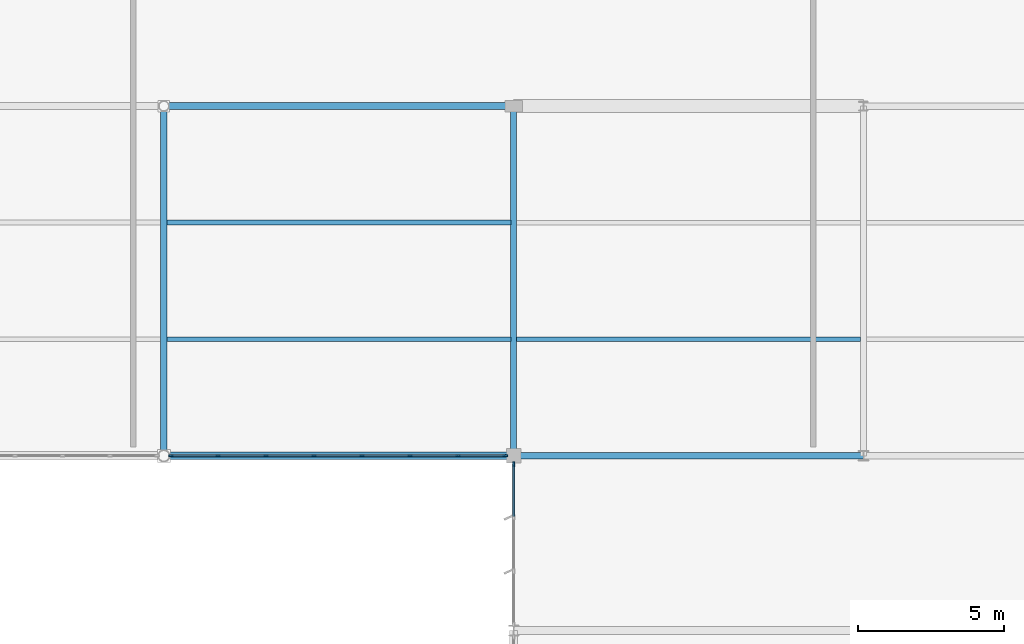
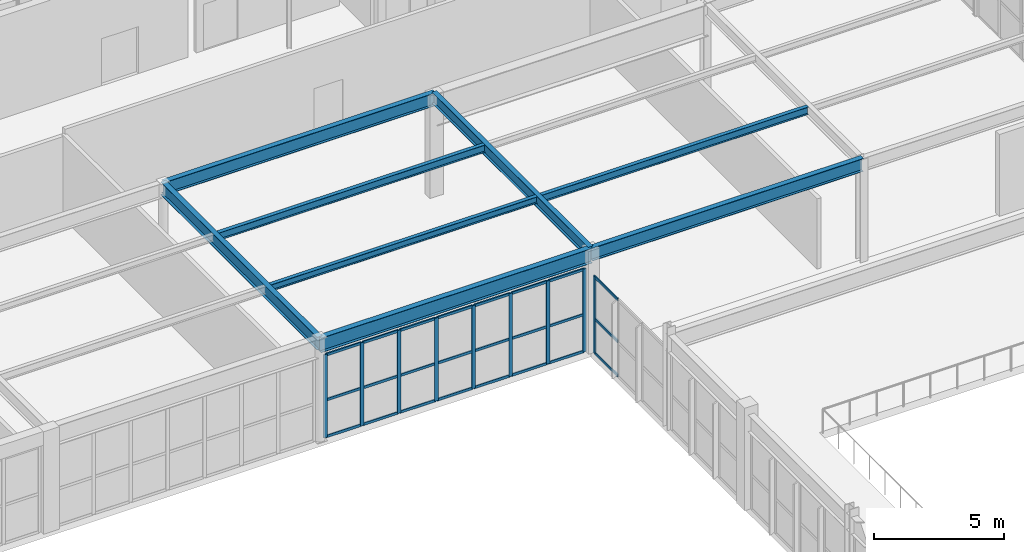
# One storey, part 78 of 186: 33 members, 8 beams, 2 elements without a shape of their own.
"""IFC4 building model written with IfcOpenShell, lengths in metres."""

from ifc_helpers import new_model, si_unit, direction, frame, origin, origin_2d, place, context, subcontext, project, spatial, rectangle, i_section, extrude, material, layer, layer_set, material_profile, profile_set, type_object, element, aggregate, save


model = new_model("IFC4")

# Units and contexts
model_context = context("Model", 3, precision=1e-05, world=origin(), true_north=direction((0.0, 1.0)))
body_context = subcontext(model_context, "Body", "Model", "MODEL_VIEW")
ifc_project = project(units=[si_unit("LENGTHUNIT", "METRE"), si_unit("AREAUNIT", "SQUARE_METRE"), si_unit("VOLUMEUNIT", "CUBIC_METRE"), si_unit("PLANEANGLEUNIT", "RADIAN"), si_unit("MASSUNIT", "GRAM", prefix="KILO")], contexts=[model_context])

# Site, building, storey
site_placement = place(None, origin())
site = spatial("IfcSite", under=ifc_project, at=site_placement, CompositionType="ELEMENT")
building_placement = place(site_placement, origin())
building = spatial("IfcBuilding", under=site, at=building_placement, Name="Tarnwether General Hospital", CompositionType="ELEMENT")
storey_placement = place(building_placement, frame((0.0, 0.0, 9.60009765625)))
storey = spatial("IfcBuildingStorey", under=building, at=storey_placement, Name="L02", CompositionType="ELEMENT", Elevation=9.60009765625)

# Beams
ifc_material_1 = material(Name="Steel Grade 350 (350 MPa)", Category="steel")
ifc_material_profile_1 = material_profile(ifc_material_1, i_section(OverallWidth=0.25, OverallDepth=0.69189453125, WebThickness=0.009033203125, FlangeThickness=0.01611328125, at=origin_2d()), Name="700WB115")
ifc_profile_set_1 = profile_set([ifc_material_profile_1], Name="Steel Grade 350 (350 MPa)")
beam_type_1 = type_object("IfcBeamType", Name="BM-G02", PredefinedType="BEAM", material=ifc_profile_set_1)
beam_1_placement = place(storey_placement, frame((96.0, 81.60009765625, 4.453857421875), z_axis=(1.0, 0.0, 0.0), x_axis=(0.0, 1.0, 0.0)))
element("IfcBeam", 1, at=beam_1_placement, inside=storey, type_object=beam_type_1, Name="Primary Girder BMG-L02-9600_8160-10800_8160-1527", PredefinedType="BEAM", context=body_context, shape_type="SweptSolid", body=[
    extrude(i_section(OverallWidth=0.25, OverallDepth=0.69189453125, WebThickness=0.009033203125, FlangeThickness=0.01611328125, at=origin_2d()), origin(), (0.0, 0.0, 1.0), 12.0),
])
ifc_material_2 = material(Name="Steel Grade 350 (350 MPa)", Category="steel")
ifc_material_profile_2 = material_profile(ifc_material_2, i_section(OverallWidth=0.22900390625, OverallDepth=0.612060546875, WebThickness=0.011962890625, FlangeThickness=0.01953125, at=origin_2d()), Name="610UB125")
ifc_profile_set_2 = profile_set([ifc_material_profile_2], Name="Steel Grade 350 (350 MPa)")
beam_type_2 = type_object("IfcBeamType", Name="BM-G03", PredefinedType="BEAM", material=ifc_profile_set_2)
for number, where, z_axis, x_axis, name in (
    (2, (96.0, 93.60009765625, 4.493896484375), (1.0, 0.0, 0.0), (0.0, 1.0, 0.0), "Primary Girder BMG-L02-9600_9360-10800_9360-1529"),
    (3, (108.0, 81.60009765625, 4.493896484375), (1.0, 0.0, 0.0), (0.0, 1.0, 0.0), "Primary Girder BMG-L02-10800_8160-12000_8160-1537"),
):
    element("IfcBeam", number, at=place(storey_placement, frame(where, z_axis=z_axis, x_axis=x_axis)), inside=storey, type_object=beam_type_2, Name=name, PredefinedType="BEAM", context=body_context, shape_type="SweptSolid", body=[
        extrude(i_section(OverallWidth=0.22900390625, OverallDepth=0.612060546875, WebThickness=0.011962890625, FlangeThickness=0.01953125, at=origin_2d()), origin(), (0.0, 0.0, 1.0), 12.0),
    ])
ifc_material_3 = material(Name="Steel Grade 350 (350 MPa)", Category="steel")
ifc_material_profile_3 = material_profile(ifc_material_3, i_section(OverallWidth=0.22802734375, OverallDepth=0.60205078125, WebThickness=0.010498046875, FlangeThickness=0.014892578125, at=origin_2d()), Name="610UB101")
ifc_profile_set_3 = profile_set([ifc_material_profile_3], Name="Steel Grade 350 (350 MPa)")
beam_type_3 = type_object("IfcBeamType", Name="BM-G05", PredefinedType="BEAM", material=ifc_profile_set_3)
beam_2_placement = place(storey_placement, frame((96.0, 81.60009765625, 4.4990234375), z_axis=(0.0, 1.0, 0.0), x_axis=(-1.0, 0.0, 0.0)))
element("IfcBeam", 4, at=beam_2_placement, inside=storey, type_object=beam_type_3, Name="Primary Girder BMG-L02-9600_8160-9600_9360-1528", PredefinedType="BEAM", context=body_context, shape_type="SweptSolid", body=[
    extrude(i_section(OverallWidth=0.22802734375, OverallDepth=0.60205078125, WebThickness=0.010498046875, FlangeThickness=0.014892578125, at=origin_2d()), origin(), (0.0, 0.0, 1.0), 12.0),
])
ifc_material_4 = material(Name="Steel Grade 350 (350 MPa)", Category="steel")
ifc_material_profile_4 = material_profile(ifc_material_4, i_section(OverallWidth=0.208984375, OverallDepth=0.532958984375, WebThickness=0.01025390625, FlangeThickness=0.015625, at=origin_2d()), Name="530UB92.4")
ifc_profile_set_4 = profile_set([ifc_material_profile_4], Name="Steel Grade 350 (350 MPa)")
beam_type_4 = type_object("IfcBeamType", Name="BM-G06", PredefinedType="BEAM", material=ifc_profile_set_4)
beam_3_placement = place(storey_placement, frame((108.0, 81.60009765625, 4.533447265625), z_axis=(0.0, 1.0, 0.0), x_axis=(-1.0, 0.0, 0.0)))
element("IfcBeam", 5, at=beam_3_placement, inside=storey, type_object=beam_type_4, Name="Primary Girder BMG-L02-10800_8160-10800_9360-1538", PredefinedType="BEAM", context=body_context, shape_type="SweptSolid", body=[
    extrude(i_section(OverallWidth=0.208984375, OverallDepth=0.532958984375, WebThickness=0.01025390625, FlangeThickness=0.015625, at=origin_2d()), origin(), (0.0, 0.0, 1.0), 12.0),
])
ifc_material_5 = material(Name="Steel Grade 350 (350 MPa)", Category="steel")
ifc_material_profile_5 = material_profile(ifc_material_5, i_section(OverallWidth=0.166015625, OverallDepth=0.306884765625, WebThickness=0.006591796875, FlangeThickness=0.01171875, at=origin_2d()), Name="310UB46.2")
ifc_profile_set_5 = profile_set([ifc_material_profile_5], Name="Steel Grade 350 (350 MPa)")
beam_type_5 = type_object("IfcBeamType", Name="BM-J05", PredefinedType="JOIST", material=ifc_profile_set_5)
beam_4_placement = place(storey_placement, frame((96.10791015625, 85.60009765625, 4.646484375), z_axis=(1.0, 0.0, 0.0), x_axis=(0.0, 1.0, 0.0)))
element("IfcBeam", 6, at=beam_4_placement, inside=storey, type_object=beam_type_5, Name="Composite Floor Joist BMG-L02-9611_8560-10790_8560-1696", PredefinedType="JOIST", context=body_context, shape_type="SweptSolid", body=[
    extrude(i_section(OverallWidth=0.166015625, OverallDepth=0.306884765625, WebThickness=0.006591796875, FlangeThickness=0.01171875, at=origin_2d()), origin(), (0.0, 0.0, 1.0), 11.79296875),
])
ifc_material_6 = material(Name="Steel Grade 350 (350 MPa)", Category="steel")
ifc_material_profile_6 = material_profile(ifc_material_6, i_section(OverallWidth=0.1708984375, OverallDepth=0.35205078125, WebThickness=0.0068359375, FlangeThickness=0.009765625, at=origin_2d()), Name="360UB44.7")
ifc_profile_set_6 = profile_set([ifc_material_profile_6], Name="Steel Grade 350 (350 MPa)")
beam_type_6 = type_object("IfcBeamType", Name="BM-J06", PredefinedType="JOIST", material=ifc_profile_set_6)
beam_5_placement = place(storey_placement, frame((96.10791015625, 89.60009765625, 4.6240234375), z_axis=(1.0, 0.0, 0.0), x_axis=(0.0, 1.0, 0.0)))
element("IfcBeam", 7, at=beam_5_placement, inside=storey, type_object=beam_type_6, Name="Composite Floor Joist BMG-L02-9611_8960-10790_8960-1697", PredefinedType="JOIST", context=body_context, shape_type="SweptSolid", body=[
    extrude(i_section(OverallWidth=0.1708984375, OverallDepth=0.35205078125, WebThickness=0.0068359375, FlangeThickness=0.009765625, at=origin_2d()), origin(), (0.0, 0.0, 1.0), 11.79296875),
])
beam_6_placement = place(storey_placement, frame((108.09912109375, 85.60009765625, 4.6240234375), z_axis=(1.0, 0.0, 0.0), x_axis=(0.0, 1.0, 0.0)))
element("IfcBeam", 8, at=beam_6_placement, inside=storey, type_object=beam_type_6, Name="Composite Floor Joist BMG-L02-10810_8560-11990_8560-1700", PredefinedType="JOIST", context=body_context, shape_type="SweptSolid", body=[
    extrude(i_section(OverallWidth=0.1708984375, OverallDepth=0.35205078125, WebThickness=0.0068359375, FlangeThickness=0.009765625, at=origin_2d()), origin(), (0.0, 0.0, 1.0), 11.8017578125),
])

# Curtain wall, member
ifc_material_7 = material(Name="Anodised aluminium", Category="aluminium")
ifc_layer_1 = layer(ifc_material_7, 0.179931640625)
ifc_layer_set_1 = layer_set([ifc_layer_1], Name="Anodised aluminium")
curtain_wall_type_1 = type_object("IfcCurtainWallType", Name="CW-07", PredefinedType="NOTDEFINED", material=ifc_layer_set_1)
curtain_wall_1_placement = place(storey_placement, origin())
curtain_wall_1 = element("IfcCurtainWall", 9, at=curtain_wall_1_placement, inside=storey, type_object=curtain_wall_type_1, Name="Curtain Wall CWG-L02-1080_758-0425", PredefinedType="NOTDEFINED")
ifc_material_8 = material(Name="Anodised aluminium", Category="aluminium")
ifc_material_profile_7 = material_profile(ifc_material_8, rectangle(XDim=0.06005859375, YDim=0.159912109375, at=origin_2d()), Name="ALU-MUL-60x160")
ifc_profile_set_7 = profile_set([ifc_material_profile_7], Name="Anodised aluminium")
member_type_1 = type_object("IfcMemberType", Name="CW-ML1", PredefinedType="MULLION", material=ifc_profile_set_7)
member_1_placement = place(storey_placement, frame((108.0, 81.31201171875, 0.0), z_axis=(0.0, 0.0, 1.0), x_axis=(-1.0, 0.0, 0.0)))
member_1 = element("IfcMember", 10, at=member_1_placement, type_object=member_type_1, Name="CW-07 mullion 4", PredefinedType="MULLION", context=body_context, shape_type="SweptSolid", body=[
    extrude(rectangle(XDim=0.06005859375, YDim=0.159912109375, at=origin_2d()), origin(), (0.0, 0.0, 1.0), 3.614990234375),
])

# Curtain wall, members
ifc_material_9 = material(Name="Anodised aluminium", Category="aluminium")
ifc_layer_2 = layer(ifc_material_9, 0.159912109375)
ifc_layer_set_2 = layer_set([ifc_layer_2], Name="Anodised aluminium")
curtain_wall_type_2 = type_object("IfcCurtainWallType", Name="CW-23", PredefinedType="NOTDEFINED", material=ifc_layer_set_2)
curtain_wall_2_placement = place(storey_placement, origin())
curtain_wall_2 = element("IfcCurtainWall", 11, at=curtain_wall_2_placement, inside=storey, type_object=curtain_wall_type_2, Name="Curtain Wall CWG-L02-962_816-0429", PredefinedType="NOTDEFINED")
member_2_placement = place(storey_placement, frame((96.240966796875, 81.60009765625, 0.0), z_axis=(0.0, 0.0, 1.0), x_axis=(0.0, 1.0, 0.0)))
member_2 = element("IfcMember", 12, at=member_2_placement, type_object=member_type_1, Name="CW-23 mullion 1", PredefinedType="MULLION", context=body_context, shape_type="SweptSolid", body=[
    extrude(rectangle(XDim=0.06005859375, YDim=0.159912109375, at=origin_2d()), origin(), (0.0, 0.0, 1.0), 3.885009765625),
])
member_3_placement = place(storey_placement, frame((97.8583984375, 81.60009765625, 0.0), z_axis=(0.0, 0.0, 1.0), x_axis=(0.0, 1.0, 0.0)))
member_3 = element("IfcMember", 13, at=member_3_placement, type_object=member_type_1, Name="CW-23 mullion 2", PredefinedType="MULLION", context=body_context, shape_type="SweptSolid", body=[
    extrude(rectangle(XDim=0.06005859375, YDim=0.159912109375, at=origin_2d()), origin(), (0.0, 0.0, 1.0), 3.885009765625),
])
member_4_placement = place(storey_placement, frame((99.505615234375, 81.60009765625, 0.0), z_axis=(0.0, 0.0, 1.0), x_axis=(0.0, 1.0, 0.0)))
member_4 = element("IfcMember", 14, at=member_4_placement, type_object=member_type_1, Name="CW-23 mullion 3", PredefinedType="MULLION", context=body_context, shape_type="SweptSolid", body=[
    extrude(rectangle(XDim=0.06005859375, YDim=0.159912109375, at=origin_2d()), origin(), (0.0, 0.0, 1.0), 3.885009765625),
])
member_5_placement = place(storey_placement, frame((101.15283203125, 81.60009765625, 0.0), z_axis=(0.0, 0.0, 1.0), x_axis=(0.0, 1.0, 0.0)))
member_5 = element("IfcMember", 15, at=member_5_placement, type_object=member_type_1, Name="CW-23 mullion 4", PredefinedType="MULLION", context=body_context, shape_type="SweptSolid", body=[
    extrude(rectangle(XDim=0.06005859375, YDim=0.159912109375, at=origin_2d()), origin(), (0.0, 0.0, 1.0), 3.885009765625),
])
member_6_placement = place(storey_placement, frame((102.800048828125, 81.60009765625, 0.0), z_axis=(0.0, 0.0, 1.0), x_axis=(0.0, 1.0, 0.0)))
member_6 = element("IfcMember", 16, at=member_6_placement, type_object=member_type_1, Name="CW-23 mullion 5", PredefinedType="MULLION", context=body_context, shape_type="SweptSolid", body=[
    extrude(rectangle(XDim=0.06005859375, YDim=0.159912109375, at=origin_2d()), origin(), (0.0, 0.0, 1.0), 3.885009765625),
])
member_7_placement = place(storey_placement, frame((104.447509765625, 81.60009765625, 0.0), z_axis=(0.0, 0.0, 1.0), x_axis=(0.0, 1.0, 0.0)))
member_7 = element("IfcMember", 17, at=member_7_placement, type_object=member_type_1, Name="CW-23 mullion 6", PredefinedType="MULLION", context=body_context, shape_type="SweptSolid", body=[
    extrude(rectangle(XDim=0.06005859375, YDim=0.159912109375, at=origin_2d()), origin(), (0.0, 0.0, 1.0), 3.885009765625),
])
member_8_placement = place(storey_placement, frame((106.0947265625, 81.60009765625, 0.0), z_axis=(0.0, 0.0, 1.0), x_axis=(0.0, 1.0, 0.0)))
member_8 = element("IfcMember", 18, at=member_8_placement, type_object=member_type_1, Name="CW-23 mullion 7", PredefinedType="MULLION", context=body_context, shape_type="SweptSolid", body=[
    extrude(rectangle(XDim=0.06005859375, YDim=0.159912109375, at=origin_2d()), origin(), (0.0, 0.0, 1.0), 3.885009765625),
])
member_9_placement = place(storey_placement, frame((107.7119140625, 81.60009765625, 0.0), z_axis=(0.0, 0.0, 1.0), x_axis=(0.0, 1.0, 0.0)))
member_9 = element("IfcMember", 19, at=member_9_placement, type_object=member_type_1, Name="CW-23 mullion 8", PredefinedType="MULLION", context=body_context, shape_type="SweptSolid", body=[
    extrude(rectangle(XDim=0.06005859375, YDim=0.159912109375, at=origin_2d()), origin(), (0.0, 0.0, 1.0), 3.885009765625),
])

# Member
ifc_material_10 = material(Name="Anodised aluminium", Category="aluminium")
ifc_material_profile_8 = material_profile(ifc_material_10, rectangle(XDim=0.06005859375, YDim=0.1201171875, at=origin_2d()), Name="ALU-TRN-60x120")
ifc_profile_set_8 = profile_set([ifc_material_profile_8], Name="Anodised aluminium")
member_type_2 = type_object("IfcMemberType", Name="CW-TR1", PredefinedType="USERDEFINED", material=ifc_profile_set_8)
member_10_placement = place(storey_placement, frame((108.0, 79.520751953125, 0.02978515625), z_axis=(0.0, 1.0, 0.0), x_axis=(-1.0, 0.0, 0.0)))
member_10 = element("IfcMember", 20, at=member_10_placement, type_object=member_type_2, Name="CW-07 transom 3.1", ObjectType="TRANSOM", PredefinedType="USERDEFINED", context=body_context, shape_type="SweptSolid", body=[
    extrude(rectangle(XDim=0.06005859375, YDim=0.1201171875, at=origin_2d()), origin(), (0.0, 0.0, 1.0), 1.76123046875),
])

member_11_placement = place(storey_placement, frame((108.0, 79.520751953125, 1.626708984375), z_axis=(0.0, 1.0, 0.0), x_axis=(-1.0, 0.0, 0.0)))
member_11 = element("IfcMember", 21, at=member_11_placement, type_object=member_type_2, Name="CW-07 transom 3.2", ObjectType="TRANSOM", PredefinedType="USERDEFINED", context=body_context, shape_type="SweptSolid", body=[
    extrude(rectangle(XDim=0.06005859375, YDim=0.1201171875, at=origin_2d()), origin(), (0.0, 0.0, 1.0), 1.76123046875),
])

member_12_placement = place(storey_placement, frame((108.0, 79.520751953125, 3.5849609375), z_axis=(0.0, 1.0, 0.0), x_axis=(-1.0, 0.0, 0.0)))
member_12 = element("IfcMember", 22, at=member_12_placement, type_object=member_type_2, Name="CW-07 transom 3.3", ObjectType="TRANSOM", PredefinedType="USERDEFINED", context=body_context, shape_type="SweptSolid", body=[
    extrude(rectangle(XDim=0.06005859375, YDim=0.1201171875, at=origin_2d()), origin(), (0.0, 0.0, 1.0), 1.76123046875),
])

aggregate(curtain_wall_1, [member_1, member_10, member_11, member_12])

member_13_placement = place(storey_placement, frame((96.27099609375, 81.60009765625, 0.02978515625), z_axis=(1.0, 0.0, 0.0), x_axis=(0.0, 1.0, 0.0)))
member_13 = element("IfcMember", 23, at=member_13_placement, type_object=member_type_2, Name="CW-23 transom 1.1", ObjectType="TRANSOM", PredefinedType="USERDEFINED", context=body_context, shape_type="SweptSolid", body=[
    extrude(rectangle(XDim=0.06005859375, YDim=0.1201171875, at=origin_2d()), origin(), (0.0, 0.0, 1.0), 1.557373046875),
])

member_14_placement = place(storey_placement, frame((96.27099609375, 81.60009765625, 1.748291015625), z_axis=(1.0, 0.0, 0.0), x_axis=(0.0, 1.0, 0.0)))
member_14 = element("IfcMember", 24, at=member_14_placement, type_object=member_type_2, Name="CW-23 transom 1.2", ObjectType="TRANSOM", PredefinedType="USERDEFINED", context=body_context, shape_type="SweptSolid", body=[
    extrude(rectangle(XDim=0.06005859375, YDim=0.1201171875, at=origin_2d()), origin(), (0.0, 0.0, 1.0), 1.557373046875),
])

member_15_placement = place(storey_placement, frame((96.27099609375, 81.60009765625, 3.85498046875), z_axis=(1.0, 0.0, 0.0), x_axis=(0.0, 1.0, 0.0)))
member_15 = element("IfcMember", 25, at=member_15_placement, type_object=member_type_2, Name="CW-23 transom 1.3", ObjectType="TRANSOM", PredefinedType="USERDEFINED", context=body_context, shape_type="SweptSolid", body=[
    extrude(rectangle(XDim=0.06005859375, YDim=0.1201171875, at=origin_2d()), origin(), (0.0, 0.0, 1.0), 1.557373046875),
])

member_16_placement = place(storey_placement, frame((97.88818359375, 81.60009765625, 0.02978515625), z_axis=(1.0, 0.0, 0.0), x_axis=(0.0, 1.0, 0.0)))
member_16 = element("IfcMember", 26, at=member_16_placement, type_object=member_type_2, Name="CW-23 transom 2.1", ObjectType="TRANSOM", PredefinedType="USERDEFINED", context=body_context, shape_type="SweptSolid", body=[
    extrude(rectangle(XDim=0.06005859375, YDim=0.1201171875, at=origin_2d()), origin(), (0.0, 0.0, 1.0), 1.58740234375),
])

member_17_placement = place(storey_placement, frame((97.88818359375, 81.60009765625, 1.748291015625), z_axis=(1.0, 0.0, 0.0), x_axis=(0.0, 1.0, 0.0)))
member_17 = element("IfcMember", 27, at=member_17_placement, type_object=member_type_2, Name="CW-23 transom 2.2", ObjectType="TRANSOM", PredefinedType="USERDEFINED", context=body_context, shape_type="SweptSolid", body=[
    extrude(rectangle(XDim=0.06005859375, YDim=0.1201171875, at=origin_2d()), origin(), (0.0, 0.0, 1.0), 1.58740234375),
])

member_18_placement = place(storey_placement, frame((97.88818359375, 81.60009765625, 3.85498046875), z_axis=(1.0, 0.0, 0.0), x_axis=(0.0, 1.0, 0.0)))
member_18 = element("IfcMember", 28, at=member_18_placement, type_object=member_type_2, Name="CW-23 transom 2.3", ObjectType="TRANSOM", PredefinedType="USERDEFINED", context=body_context, shape_type="SweptSolid", body=[
    extrude(rectangle(XDim=0.06005859375, YDim=0.1201171875, at=origin_2d()), origin(), (0.0, 0.0, 1.0), 1.58740234375),
])

member_19_placement = place(storey_placement, frame((99.53564453125, 81.60009765625, 0.02978515625), z_axis=(1.0, 0.0, 0.0), x_axis=(0.0, 1.0, 0.0)))
member_19 = element("IfcMember", 29, at=member_19_placement, type_object=member_type_2, Name="CW-23 transom 3.1", ObjectType="TRANSOM", PredefinedType="USERDEFINED", context=body_context, shape_type="SweptSolid", body=[
    extrude(rectangle(XDim=0.06005859375, YDim=0.1201171875, at=origin_2d()), origin(), (0.0, 0.0, 1.0), 1.587158203125),
])

member_20_placement = place(storey_placement, frame((99.53564453125, 81.60009765625, 1.748291015625), z_axis=(1.0, 0.0, 0.0), x_axis=(0.0, 1.0, 0.0)))
member_20 = element("IfcMember", 30, at=member_20_placement, type_object=member_type_2, Name="CW-23 transom 3.2", ObjectType="TRANSOM", PredefinedType="USERDEFINED", context=body_context, shape_type="SweptSolid", body=[
    extrude(rectangle(XDim=0.06005859375, YDim=0.1201171875, at=origin_2d()), origin(), (0.0, 0.0, 1.0), 1.587158203125),
])

member_21_placement = place(storey_placement, frame((99.53564453125, 81.60009765625, 3.85498046875), z_axis=(1.0, 0.0, 0.0), x_axis=(0.0, 1.0, 0.0)))
member_21 = element("IfcMember", 31, at=member_21_placement, type_object=member_type_2, Name="CW-23 transom 3.3", ObjectType="TRANSOM", PredefinedType="USERDEFINED", context=body_context, shape_type="SweptSolid", body=[
    extrude(rectangle(XDim=0.06005859375, YDim=0.1201171875, at=origin_2d()), origin(), (0.0, 0.0, 1.0), 1.587158203125),
])

member_22_placement = place(storey_placement, frame((101.182861328125, 81.60009765625, 0.02978515625), z_axis=(1.0, 0.0, 0.0), x_axis=(0.0, 1.0, 0.0)))
member_22 = element("IfcMember", 32, at=member_22_placement, type_object=member_type_2, Name="CW-23 transom 4.1", ObjectType="TRANSOM", PredefinedType="USERDEFINED", context=body_context, shape_type="SweptSolid", body=[
    extrude(rectangle(XDim=0.06005859375, YDim=0.1201171875, at=origin_2d()), origin(), (0.0, 0.0, 1.0), 1.58740234375),
])

member_23_placement = place(storey_placement, frame((101.182861328125, 81.60009765625, 1.748291015625), z_axis=(1.0, 0.0, 0.0), x_axis=(0.0, 1.0, 0.0)))
member_23 = element("IfcMember", 33, at=member_23_placement, type_object=member_type_2, Name="CW-23 transom 4.2", ObjectType="TRANSOM", PredefinedType="USERDEFINED", context=body_context, shape_type="SweptSolid", body=[
    extrude(rectangle(XDim=0.06005859375, YDim=0.1201171875, at=origin_2d()), origin(), (0.0, 0.0, 1.0), 1.58740234375),
])

member_24_placement = place(storey_placement, frame((101.182861328125, 81.60009765625, 3.85498046875), z_axis=(1.0, 0.0, 0.0), x_axis=(0.0, 1.0, 0.0)))
member_24 = element("IfcMember", 34, at=member_24_placement, type_object=member_type_2, Name="CW-23 transom 4.3", ObjectType="TRANSOM", PredefinedType="USERDEFINED", context=body_context, shape_type="SweptSolid", body=[
    extrude(rectangle(XDim=0.06005859375, YDim=0.1201171875, at=origin_2d()), origin(), (0.0, 0.0, 1.0), 1.58740234375),
])

member_25_placement = place(storey_placement, frame((102.830078125, 81.60009765625, 0.02978515625), z_axis=(1.0, 0.0, 0.0), x_axis=(0.0, 1.0, 0.0)))
member_25 = element("IfcMember", 35, at=member_25_placement, type_object=member_type_2, Name="CW-23 transom 5.1", ObjectType="TRANSOM", PredefinedType="USERDEFINED", context=body_context, shape_type="SweptSolid", body=[
    extrude(rectangle(XDim=0.06005859375, YDim=0.1201171875, at=origin_2d()), origin(), (0.0, 0.0, 1.0), 1.58740234375),
])

member_26_placement = place(storey_placement, frame((102.830078125, 81.60009765625, 1.748291015625), z_axis=(1.0, 0.0, 0.0), x_axis=(0.0, 1.0, 0.0)))
member_26 = element("IfcMember", 36, at=member_26_placement, type_object=member_type_2, Name="CW-23 transom 5.2", ObjectType="TRANSOM", PredefinedType="USERDEFINED", context=body_context, shape_type="SweptSolid", body=[
    extrude(rectangle(XDim=0.06005859375, YDim=0.1201171875, at=origin_2d()), origin(), (0.0, 0.0, 1.0), 1.58740234375),
])

member_27_placement = place(storey_placement, frame((102.830078125, 81.60009765625, 3.85498046875), z_axis=(1.0, 0.0, 0.0), x_axis=(0.0, 1.0, 0.0)))
member_27 = element("IfcMember", 37, at=member_27_placement, type_object=member_type_2, Name="CW-23 transom 5.3", ObjectType="TRANSOM", PredefinedType="USERDEFINED", context=body_context, shape_type="SweptSolid", body=[
    extrude(rectangle(XDim=0.06005859375, YDim=0.1201171875, at=origin_2d()), origin(), (0.0, 0.0, 1.0), 1.58740234375),
])

member_28_placement = place(storey_placement, frame((104.4775390625, 81.60009765625, 0.02978515625), z_axis=(1.0, 0.0, 0.0), x_axis=(0.0, 1.0, 0.0)))
member_28 = element("IfcMember", 38, at=member_28_placement, type_object=member_type_2, Name="CW-23 transom 6.1", ObjectType="TRANSOM", PredefinedType="USERDEFINED", context=body_context, shape_type="SweptSolid", body=[
    extrude(rectangle(XDim=0.06005859375, YDim=0.1201171875, at=origin_2d()), origin(), (0.0, 0.0, 1.0), 1.587158203125),
])

member_29_placement = place(storey_placement, frame((104.4775390625, 81.60009765625, 1.748291015625), z_axis=(1.0, 0.0, 0.0), x_axis=(0.0, 1.0, 0.0)))
member_29 = element("IfcMember", 39, at=member_29_placement, type_object=member_type_2, Name="CW-23 transom 6.2", ObjectType="TRANSOM", PredefinedType="USERDEFINED", context=body_context, shape_type="SweptSolid", body=[
    extrude(rectangle(XDim=0.06005859375, YDim=0.1201171875, at=origin_2d()), origin(), (0.0, 0.0, 1.0), 1.587158203125),
])

member_30_placement = place(storey_placement, frame((104.4775390625, 81.60009765625, 3.85498046875), z_axis=(1.0, 0.0, 0.0), x_axis=(0.0, 1.0, 0.0)))
member_30 = element("IfcMember", 40, at=member_30_placement, type_object=member_type_2, Name="CW-23 transom 6.3", ObjectType="TRANSOM", PredefinedType="USERDEFINED", context=body_context, shape_type="SweptSolid", body=[
    extrude(rectangle(XDim=0.06005859375, YDim=0.1201171875, at=origin_2d()), origin(), (0.0, 0.0, 1.0), 1.587158203125),
])

member_31_placement = place(storey_placement, frame((106.124755859375, 81.60009765625, 0.02978515625), z_axis=(1.0, 0.0, 0.0), x_axis=(0.0, 1.0, 0.0)))
member_31 = element("IfcMember", 41, at=member_31_placement, type_object=member_type_2, Name="CW-23 transom 7.1", ObjectType="TRANSOM", PredefinedType="USERDEFINED", context=body_context, shape_type="SweptSolid", body=[
    extrude(rectangle(XDim=0.06005859375, YDim=0.1201171875, at=origin_2d()), origin(), (0.0, 0.0, 1.0), 1.55712890625),
])

member_32_placement = place(storey_placement, frame((106.124755859375, 81.60009765625, 1.748291015625), z_axis=(1.0, 0.0, 0.0), x_axis=(0.0, 1.0, 0.0)))
member_32 = element("IfcMember", 42, at=member_32_placement, type_object=member_type_2, Name="CW-23 transom 7.2", ObjectType="TRANSOM", PredefinedType="USERDEFINED", context=body_context, shape_type="SweptSolid", body=[
    extrude(rectangle(XDim=0.06005859375, YDim=0.1201171875, at=origin_2d()), origin(), (0.0, 0.0, 1.0), 1.55712890625),
])

member_33_placement = place(storey_placement, frame((106.124755859375, 81.60009765625, 3.85498046875), z_axis=(1.0, 0.0, 0.0), x_axis=(0.0, 1.0, 0.0)))
member_33 = element("IfcMember", 43, at=member_33_placement, type_object=member_type_2, Name="CW-23 transom 7.3", ObjectType="TRANSOM", PredefinedType="USERDEFINED", context=body_context, shape_type="SweptSolid", body=[
    extrude(rectangle(XDim=0.06005859375, YDim=0.1201171875, at=origin_2d()), origin(), (0.0, 0.0, 1.0), 1.55712890625),
])

aggregate(curtain_wall_2, [member_2, member_3, member_4, member_5, member_6, member_7, member_8, member_9, member_13, member_14, member_15, member_16, member_17, member_18, member_19, member_20, member_21, member_22, member_23, member_24, member_25, member_26, member_27, member_28, member_29, member_30, member_31, member_32, member_33])

save(model, "model.ifc")
